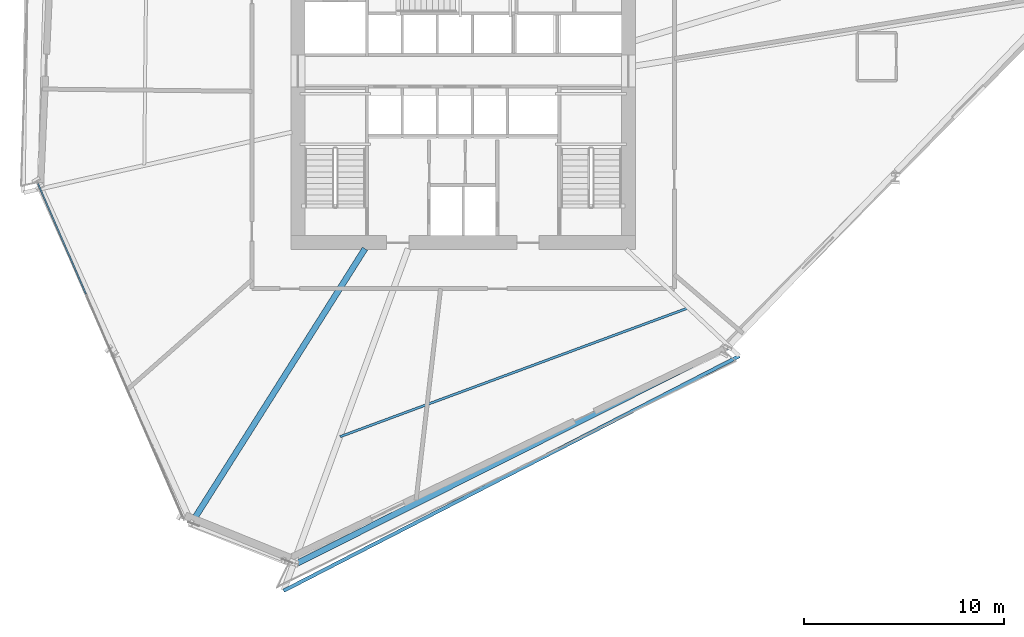
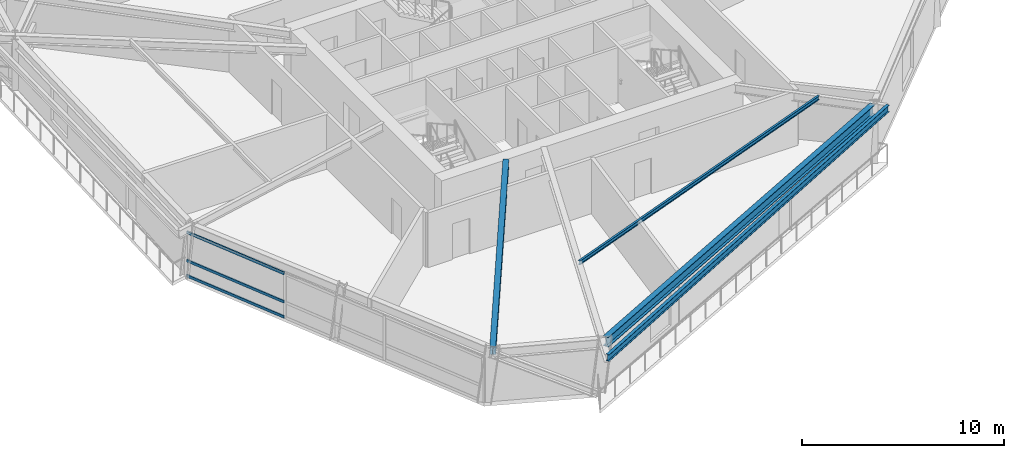
# One storey, part 5 of 19: 4 beams, 3 members, 1 element without a shape of its own.
"""IFC4 building model written with IfcOpenShell, lengths in metres."""

from ifc_helpers import new_model, si_unit, direction, frame, origin, origin_2d, place, context, subcontext, project, spatial, hollow_rectangle, i_section, extrude, source, transform, mapped, material, material_profile, profile_set, type_object, element, aggregate, save


model = new_model("IFC4")

# Units and contexts
model_context = context("Model", 3, precision=1e-05, world=origin(), true_north=direction((0.0, 1.0)))
body_context = subcontext(model_context, "Body", "Model", "MODEL_VIEW")
ifc_project = project(units=[si_unit("LENGTHUNIT", "METRE"), si_unit("AREAUNIT", "SQUARE_METRE"), si_unit("VOLUMEUNIT", "CUBIC_METRE"), si_unit("PLANEANGLEUNIT", "RADIAN"), si_unit("MASSUNIT", "GRAM", prefix="KILO")], contexts=[model_context])

# Site, building, storey
site_placement = place(None, origin())
site = spatial("IfcSite", under=ifc_project, at=site_placement, CompositionType="ELEMENT")
building_placement = place(site_placement, origin())
building = spatial("IfcBuilding", under=site, at=building_placement, Name="Olszyna Solenne Hotel", CompositionType="ELEMENT")
storey_placement = place(building_placement, frame((0.0, 0.0, 84.39990234375)))
storey = spatial("IfcBuildingStorey", under=building, at=storey_placement, Name="L21", CompositionType="ELEMENT", Elevation=84.39990234375)

# Beams
ifc_material_1 = material(Name="Steel S355J2", Category="steel")
ifc_material_profile_1 = material_profile(ifc_material_1, i_section(OverallWidth=0.300048828125, OverallDepth=0.60009765625, WebThickness=0.015380859375, FlangeThickness=0.030029296875, at=origin_2d()), Name="HEB 600", Category="load-bearing")
ifc_profile_set_1 = profile_set([ifc_material_profile_1], Name="Steel S355J2")
beam_type_1 = type_object("IfcBeamType", Name="BM-S2", PredefinedType="BEAM", material=ifc_profile_set_1)
shared_shape_1 = source(origin(), body_context, "Body", "SweptSolid", [
    extrude(i_section(OverallWidth=0.300048828125, OverallDepth=0.60009765625, WebThickness=0.015380859375, FlangeThickness=0.030029296875, at=origin_2d()), origin(), (0.0, 0.0, 1.0), 24.030517578125),
])
beam_1_placement = place(storey_placement, frame((29.725830078125, 3.137451171875, 3.0), z_axis=(0.893443621845, 0.449175349484, 0.0), x_axis=(-0.449175349484, 0.893443621845, 0.0)))
element("IfcBeam", 1, at=beam_1_placement, inside=storey, type_object=beam_type_1, Name="Perimeter spandrel beam BM-S2 B-L21-0642", PredefinedType="BEAM", context=body_context, shape_type="MappedRepresentation", body=[
    mapped(shared_shape_1, transform((0.0, 0.0, 0.0), x_axis=(1.0, 0.0, 0.0), y_axis=(0.0, 1.0, 0.0), z_axis=(0.0, 0.0, 1.0), scale=1.0)),
])
ifc_material_profile_2 = material_profile(ifc_material_1, i_section(OverallWidth=0.300048828125, OverallDepth=0.489990234375, WebThickness=0.011962890625, FlangeThickness=0.02294921875, at=origin_2d()), Name="HEA 500", Category="load-bearing")
ifc_profile_set_2 = profile_set([ifc_material_profile_2], Name="Steel S355J2")
beam_type_2 = type_object("IfcBeamType", Name="BM-G1", PredefinedType="BEAM", material=ifc_profile_set_2)
shared_shape_2 = source(origin(), body_context, "Body", "SweptSolid", [
    extrude(i_section(OverallWidth=0.300048828125, OverallDepth=0.489990234375, WebThickness=0.011962890625, FlangeThickness=0.02294921875, at=origin_2d()), origin(), (0.0, 0.0, 1.0), 16.158203125),
])
beam_2_placement = place(storey_placement, frame((24.46044921875, 5.184814453125, 3.05517578125), z_axis=(0.534390864172, 0.845237483959, 0.0), x_axis=(-0.845237483959, 0.534390864172, 0.0)))
element("IfcBeam", 2, at=beam_2_placement, inside=storey, type_object=beam_type_2, Name="Radial floor girder BM-G1 B-L21-0651", PredefinedType="BEAM", context=body_context, shape_type="MappedRepresentation", body=[
    mapped(shared_shape_2, transform((0.0, 0.0, 0.0), x_axis=(1.0, 0.0, 0.0), y_axis=(0.0, 1.0, 0.0), z_axis=(0.0, 0.0, 1.0), scale=1.0)),
])
ifc_material_profile_3 = material_profile(ifc_material_1, i_section(OverallWidth=0.1201171875, OverallDepth=0.239990234375, WebThickness=0.006103515625, FlangeThickness=0.009765625, at=origin_2d()), Name="IPE 240", Category="load-bearing")
ifc_profile_set_3 = profile_set([ifc_material_profile_3], Name="Steel S355J2")
beam_type_3 = type_object("IfcBeamType", Name="JS-03", PredefinedType="JOIST", material=ifc_profile_set_3)
shared_shape_3 = source(origin(), body_context, "Body", "SweptSolid", [
    extrude(i_section(OverallWidth=0.1201171875, OverallDepth=0.239990234375, WebThickness=0.006103515625, FlangeThickness=0.009765625, at=origin_2d()), origin(), (0.0, 0.0, 1.0), 18.5322265625),
])
beam_3_placement = place(storey_placement, frame((31.8515625, 9.4560546875, 3.18017578125), z_axis=(0.937903766639, 0.346895552759, 0.0), x_axis=(-0.346895552759, 0.937903766639, 0.0)))
element("IfcBeam", 3, at=beam_3_placement, inside=storey, type_object=beam_type_3, Name="Secondary composite floor joist JS-03 B-L21-0658", PredefinedType="JOIST", context=body_context, shape_type="MappedRepresentation", body=[
    mapped(shared_shape_3, transform((0.0, 0.0, 0.0), x_axis=(1.0, 0.0, 0.0), y_axis=(0.0, 1.0, 0.0), z_axis=(0.0, 0.0, 1.0), scale=1.0)),
])
ifc_material_profile_4 = material_profile(ifc_material_1, i_section(OverallWidth=0.179931640625, OverallDepth=0.39990234375, WebThickness=0.008544921875, FlangeThickness=0.013427734375, at=origin_2d()), Name="IPE 400", Category="load-bearing")
ifc_profile_set_4 = profile_set([ifc_material_profile_4], Name="Steel S355J2")
beam_type_4 = type_object("IfcBeamType", Name="BM-F5", PredefinedType="BEAM", material=ifc_profile_set_4)
shared_shape_4 = source(origin(), body_context, "Body", "SweptSolid", [
    extrude(i_section(OverallWidth=0.179931640625, OverallDepth=0.39990234375, WebThickness=0.008544921875, FlangeThickness=0.013427734375, at=origin_2d()), origin(), (0.0, 0.0, 1.0), 25.604736328125),
])
beam_4_placement = place(storey_placement, frame((29.035400390625, 1.760009765625, 3.10009765625), z_axis=(0.889019957255, 0.457868447922, 0.0), x_axis=(-0.457868447922, 0.889019957255, 0.0)))
element("IfcBeam", 4, at=beam_4_placement, inside=storey, type_object=beam_type_4, Name="Loggia outer edge beam BM-F5 B-L21-0661", PredefinedType="BEAM", context=body_context, shape_type="MappedRepresentation", body=[
    mapped(shared_shape_4, transform((0.0, 0.0, 0.0), x_axis=(1.0, 0.0, 0.0), y_axis=(0.0, 1.0, 0.0), z_axis=(0.0, 0.0, 1.0), scale=1.0)),
])

# Curtain wall, members
ifc_material_2 = material(Name="Anodised bronze aluminium", Category="aluminium")
curtain_wall_type = type_object("IfcCurtainWallType", Name="CW-SYS-3", PredefinedType="NOTDEFINED", material=ifc_material_2)
curtain_wall_placement = place(storey_placement, origin())
curtain_wall = element("IfcCurtainWall", 5, at=curtain_wall_placement, inside=storey, type_object=curtain_wall_type, Name="Unitised curtain wall CW-SYS-3 CW-L21-01", PredefinedType="NOTDEFINED")
ifc_material_profile_5 = material_profile(ifc_material_2, hollow_rectangle(XDim=0.074951171875, YDim=0.159912109375, WallThickness=0.00390625, at=origin_2d()), Name="TRAN 160x75x4", Category="load-bearing")
ifc_profile_set_5 = profile_set([ifc_material_profile_5], Name="Anodised bronze aluminium")
member_type = type_object("IfcMemberType", Name="CW-T1", PredefinedType="USERDEFINED", material=ifc_profile_set_5)
shared_shape_5 = source(origin(), body_context, "Body", "SweptSolid", [
    extrude(hollow_rectangle(XDim=0.074951171875, YDim=0.159912109375, WallThickness=0.00390625, at=origin_2d()), origin(), (0.0, 0.0, 1.0), 6.00341796875),
])
member_1_placement = place(storey_placement, frame((16.76416015625, 22.08740234375, 0.03759765625), z_axis=(0.398816817197, -0.917030613622, 0.0), x_axis=(0.917030613622, 0.398816817197, 0.0)))
member_1 = element("IfcMember", 6, at=member_1_placement, type_object=member_type, Name="Curtain-wall transom CW-T1 CT-L21-01-01", ObjectType="TRANSOM", PredefinedType="USERDEFINED", context=body_context, shape_type="MappedRepresentation", body=[
    mapped(shared_shape_5, transform((0.0, 0.0, 0.0), x_axis=(1.0, 0.0, 0.0), y_axis=(0.0, 1.0, 0.0), z_axis=(0.0, 0.0, 1.0), scale=1.0)),
])
member_2_placement = place(storey_placement, frame((16.76416015625, 22.08740234375, 0.9501953125), z_axis=(0.398816817197, -0.917030613622, 0.0), x_axis=(0.917030613622, 0.398816817197, 0.0)))
member_2 = element("IfcMember", 7, at=member_2_placement, type_object=member_type, Name="Curtain-wall transom CW-T1 CT-L21-01-02", ObjectType="TRANSOM", PredefinedType="USERDEFINED", context=body_context, shape_type="MappedRepresentation", body=[
    mapped(shared_shape_5, transform((0.0, 0.0, 0.0), x_axis=(1.0, 0.0, 0.0), y_axis=(0.0, 1.0, 0.0), z_axis=(0.0, 0.0, 1.0), scale=1.0)),
])
member_3_placement = place(storey_placement, frame((16.76416015625, 22.08740234375, 2.654541015625), z_axis=(0.398816817197, -0.917030613622, 0.0), x_axis=(0.917030613622, 0.398816817197, 0.0)))
member_3 = element("IfcMember", 8, at=member_3_placement, type_object=member_type, Name="Curtain-wall transom CW-T1 CT-L21-01-03", ObjectType="TRANSOM", PredefinedType="USERDEFINED", context=body_context, shape_type="MappedRepresentation", body=[
    mapped(shared_shape_5, transform((0.0, 0.0, 0.0), x_axis=(1.0, 0.0, 0.0), y_axis=(0.0, 1.0, 0.0), z_axis=(0.0, 0.0, 1.0), scale=1.0)),
])
aggregate(curtain_wall, [member_1, member_2, member_3])

save(model, "model.ifc")
